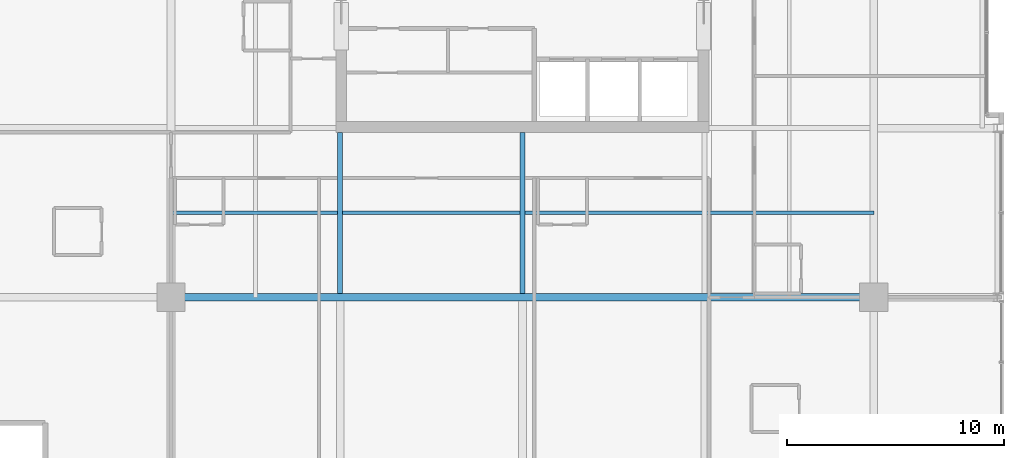
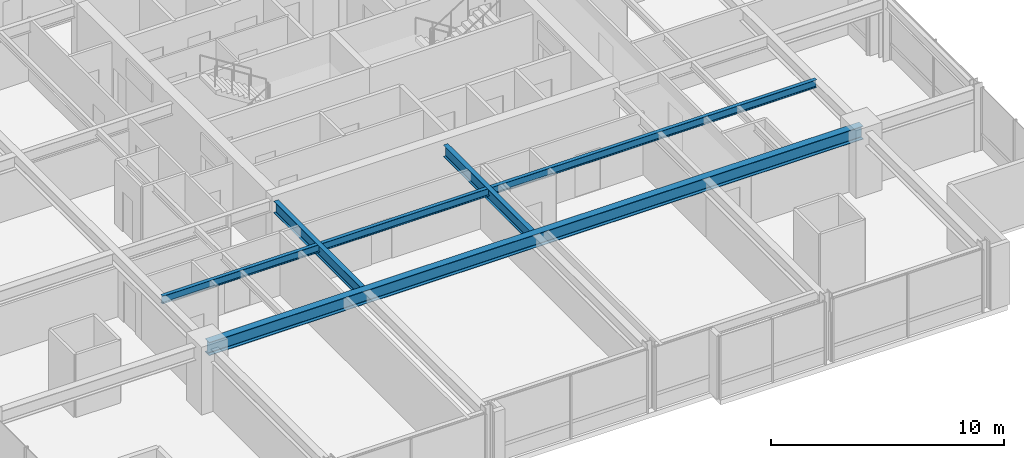
# One storey, part 6 of 31: 4 beams.
"""IFC4 building model written with IfcOpenShell, lengths in metres."""

from ifc_helpers import new_model, si_unit, direction, frame, origin, origin_2d, place, context, subcontext, project, spatial, i_section, extrude, material, material_profile, profile_set, type_object, element, save


model = new_model("IFC4")

# Units and contexts
model_context = context("Model", 3, precision=1e-05, world=origin(), true_north=direction((0.0, 1.0)))
body_context = subcontext(model_context, "Body", "Model", "MODEL_VIEW")
ifc_project = project(units=[si_unit("LENGTHUNIT", "METRE"), si_unit("AREAUNIT", "SQUARE_METRE"), si_unit("VOLUMEUNIT", "CUBIC_METRE"), si_unit("PLANEANGLEUNIT", "RADIAN"), si_unit("MASSUNIT", "GRAM", prefix="KILO")], contexts=[model_context])

# Site, building, storey
site_placement = place(None, origin())
site = spatial("IfcSite", under=ifc_project, at=site_placement, CompositionType="ELEMENT")
building_placement = place(site_placement, origin())
building = spatial("IfcBuilding", under=site, at=building_placement, Name="Drelvath Grand Hotel", CompositionType="ELEMENT")
storey_placement = place(building_placement, frame((0.0, 0.0, 185.89990234375)))
storey = spatial("IfcBuildingStorey", under=building, at=storey_placement, Name="L48", CompositionType="ELEMENT", Elevation=185.89990234375)

# Beams
ifc_material = material(Name="Steel ASTM A992 Gr 50", Category="steel")
ifc_material_profile_1 = material_profile(ifc_material, i_section(OverallWidth=0.177734375, OverallDepth=0.40673828125, WebThickness=0.0078125, FlangeThickness=0.0126953125, FilletRadius=0.014892578125, at=origin_2d()), Name="W16X40")
ifc_profile_set_1 = profile_set([ifc_material_profile_1], Name="Steel ASTM A992 Gr 50")
beam_type_1 = type_object("IfcBeamType", Name="Composite Floor Joist W16X40", PredefinedType="JOIST", material=ifc_profile_set_1)
beam_1_placement = place(storey_placement, frame((-16.199951171875, 14.699951171875, 3.086669921875), z_axis=(1.0, 0.0, 0.0), x_axis=(0.0, 1.0, 0.0)))
element("IfcBeam", 1, at=beam_1_placement, inside=storey, type_object=beam_type_1, Name="L48 Floor Joist J1", PredefinedType="JOIST", context=body_context, shape_type="SweptSolid", body=[
    extrude(i_section(OverallWidth=0.177734375, OverallDepth=0.40673828125, WebThickness=0.0078125, FlangeThickness=0.0126953125, FilletRadius=0.014892578125, at=origin_2d()), origin(), (0.0, 0.0, 1.0), 32.39990234375),
])
ifc_material_profile_2 = material_profile(ifc_material, i_section(OverallWidth=0.228271484375, OverallDepth=0.607666015625, WebThickness=0.01123046875, FlangeThickness=0.017333984375, FilletRadius=0.02001953125, at=origin_2d()), Name="W24X76")
ifc_profile_set_2 = profile_set([ifc_material_profile_2], Name="Steel ASTM A992 Gr 50")
beam_type_2 = type_object("IfcBeamType", Name="Primary Floor Girder W24X76", PredefinedType="BEAM", material=ifc_profile_set_2)
for number, where, z_axis, x_axis, name in (
    (2, (-8.39990234375, 10.977294921875, 2.986328125), (0.0, 1.0, 0.0), (-1.0, 0.0, 0.0), "L48 South Core Tie 4"),
    (3, (0.0, 10.977294921875, 2.986328125), (0.0, 1.0, 0.0), (-1.0, 0.0, 0.0), "L48 South Core Tie 5"),
):
    element("IfcBeam", number, at=place(storey_placement, frame(where, z_axis=z_axis, x_axis=x_axis)), inside=storey, type_object=beam_type_2, Name=name, PredefinedType="BEAM", context=body_context, shape_type="SweptSolid", body=[
        extrude(i_section(OverallWidth=0.228271484375, OverallDepth=0.607666015625, WebThickness=0.01123046875, FlangeThickness=0.017333984375, FilletRadius=0.02001953125, at=origin_2d()), origin(), (0.0, 0.0, 1.0), 7.422607421875),
    ])
ifc_material_profile_3 = material_profile(ifc_material, i_section(OverallWidth=0.354736328125, OverallDepth=0.695556640625, WebThickness=0.015380859375, FlangeThickness=0.025146484375, FilletRadius=0.02392578125, at=origin_2d()), Name="W27X146")
ifc_profile_set_3 = profile_set([ifc_material_profile_3], Name="Steel ASTM A992 Gr 50")
beam_type_3 = type_object("IfcBeamType", Name="Primary Floor Girder W27X146", PredefinedType="BEAM", material=ifc_profile_set_3)
beam_2_placement = place(storey_placement, frame((-16.199951171875, 10.800048828125, 2.9423828125), z_axis=(1.0, 0.0, 0.0), x_axis=(0.0, 1.0, 0.0)))
element("IfcBeam", 4, at=beam_2_placement, inside=storey, type_object=beam_type_3, Name="L48 Mega Ring Girder South", PredefinedType="BEAM", context=body_context, shape_type="SweptSolid", body=[
    extrude(i_section(OverallWidth=0.354736328125, OverallDepth=0.695556640625, WebThickness=0.015380859375, FlangeThickness=0.025146484375, FilletRadius=0.02392578125, at=origin_2d()), origin(), (0.0, 0.0, 1.0), 32.39990234375),
])

save(model, "model.ifc")
